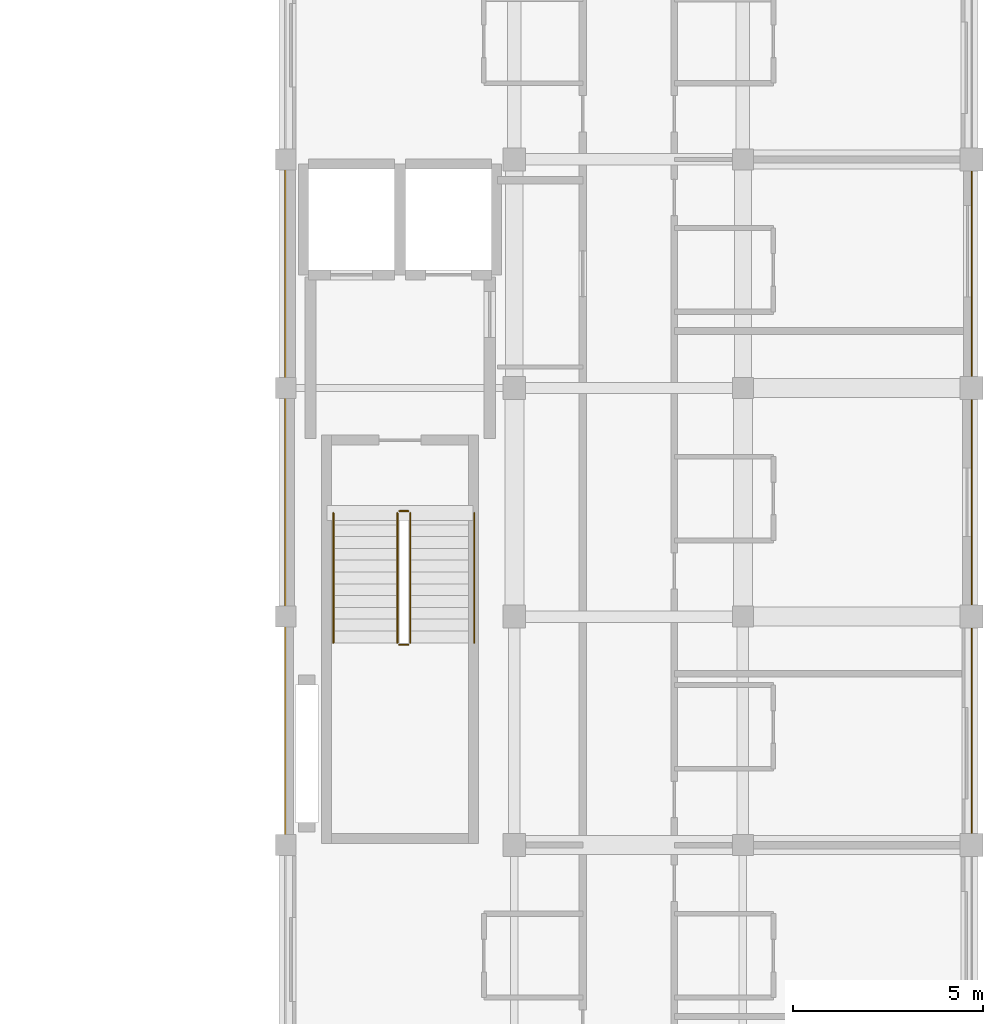
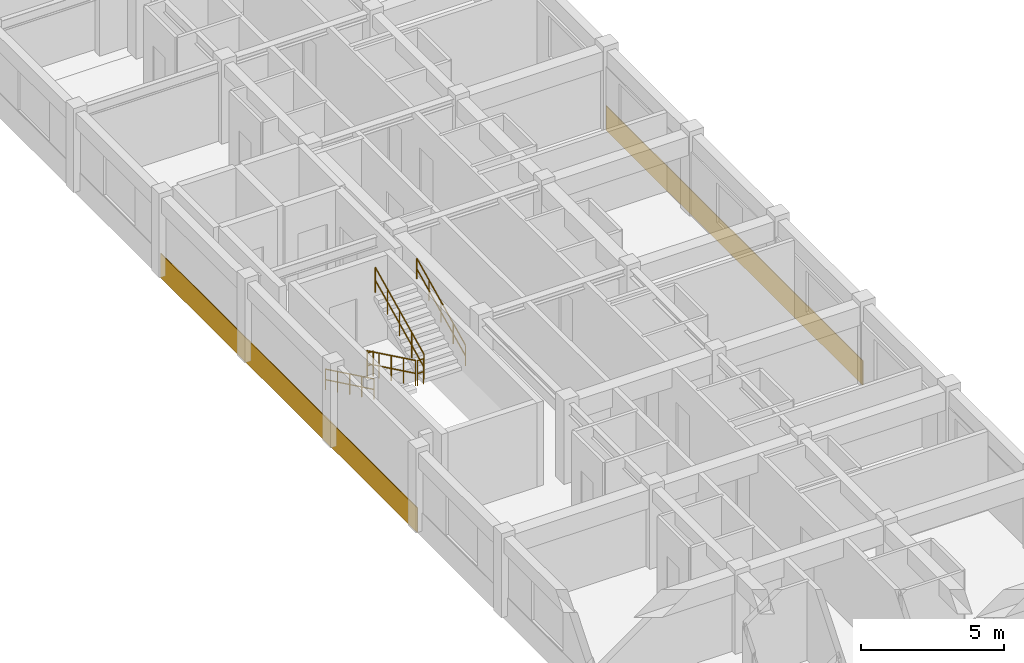
# One storey, part 23 of 25: 6 railings, 2 coverings.
"""IFC4 building model written with IfcOpenShell, lengths in metres."""

from ifc_helpers import new_model, si_unit, direction, frame, origin, origin_2d, place, context, subcontext, project, spatial, polyline, circle, outline, extrude, material, layer, layer_set, type_object, element, save


model = new_model("IFC4")

# Units and contexts
model_context = context("Model", 3, precision=1e-05, world=origin(), true_north=direction((0.0, 1.0)))
body_context = subcontext(model_context, "Body", "Model", "MODEL_VIEW")
ifc_project = project(units=[si_unit("LENGTHUNIT", "METRE"), si_unit("AREAUNIT", "SQUARE_METRE"), si_unit("VOLUMEUNIT", "CUBIC_METRE"), si_unit("PLANEANGLEUNIT", "RADIAN"), si_unit("MASSUNIT", "GRAM", prefix="KILO"), si_unit("THERMODYNAMICTEMPERATUREUNIT", "KELVIN"), si_unit("POWERUNIT", "WATT")], contexts=[model_context])

# Site, building, storey
site_placement = place(None, origin())
site = spatial("IfcSite", under=ifc_project, at=site_placement, CompositionType="ELEMENT")
building_placement = place(site_placement, origin())
building = spatial("IfcBuilding", under=site, at=building_placement, Name="Phaisarnlok Congress Hotel", CompositionType="ELEMENT")
storey_placement = place(building_placement, frame((0.0, 0.0, 24.60009765625)))
storey = spatial("IfcBuildingStorey", under=building, at=storey_placement, Name="L05", CompositionType="ELEMENT", Elevation=24.60009765625)

# Coverings
ifc_material_1 = material(Name="Anodised Silver Aluminium Alloy 6063-T6", Category="aluminium")
ifc_layer = layer(ifc_material_1, 0.031982421875, Name="Anodised Silver Aluminium Alloy 6063-T6")
ifc_layer_set = layer_set([ifc_layer], Name="Anodised Silver Aluminium Alloy 6063-T6")
covering_type = type_object("IfcCoveringType", Name="COV-SPAND-ALU", PredefinedType="CLADDING", material=ifc_layer_set)
for number, where, z_axis, x_axis, name in (
    (1, (179.9951171875, 78.06005859375, -0.280029296875), (1.0, 0.0, 0.0), (0.0, 1.0, 0.0), "Swiss minimalist anodised silver rainscreen band CL-02 (L05 E)"),
    (2, (162.0048828125, 96.06005859375, -0.280029296875), (-1.0, 0.0, 0.0), (0.0, -1.0, 0.0), "Swiss minimalist anodised silver rainscreen band CL-02 (L05 W)"),
):
    element("IfcCovering", number, at=place(storey_placement, frame(where, z_axis=z_axis, x_axis=x_axis)), inside=storey, type_object=covering_type, Name=name, PredefinedType="CLADDING", context=body_context, shape_type="SweptSolid", body=[
        extrude(outline(polyline([(0.0, 0.0), (18.0, 0.0), (18.0, 1.050048828125), (0.0, 1.050048828125), (0.0, 0.0)])), origin(), (0.0, 0.0, 1.0), 0.031982421875),
    ])

# Railings
ifc_material_2 = material(Name="Painted Galvanised Steel S275", Category="steel")
railing_type_1 = type_object("IfcRailingType", Name="RLG-STR-GUARD", PredefinedType="BALUSTRADE", material=ifc_material_2)
railing_1_placement = place(storey_placement, frame((164.929931640625, 86.719970703125, 0.14990234375)))
element("IfcRailing", 3, at=railing_1_placement, inside=storey, type_object=railing_type_1, Name="L05 ST-09 stair guard 1", PredefinedType="BALUSTRADE", context=body_context, shape_type="SweptSolid", body=[
    extrude(circle(Radius=0.02392578125, at=origin_2d()), frame((0.0, 0.0, 1.076171875), z_axis=(0.0, -0.900164957231, 0.435549135889), x_axis=(1.0, 0.0, 0.0)), (0.0, 0.0, 1.0), 3.7880859375),
    extrude(circle(Radius=0.02392578125, at=origin_2d()), frame((0.0, 0.0, 0.52587890625), z_axis=(0.0, -0.900164957231, 0.435549135889), x_axis=(1.0, 0.0, 0.0)), (0.0, 0.0, 1.0), 3.7880859375),
    extrude(circle(Radius=0.02099609375, at=origin_2d()), origin(), (0.0, 0.0, 1.0), 1.052001953125),
    extrude(circle(Radius=0.02099609375, at=origin_2d()), frame((0.0, -0.8525390625, 0.41259765625)), (0.0, 0.0, 1.0), 1.052001953125),
    extrude(circle(Radius=0.02099609375, at=origin_2d()), frame((0.0, -1.705078125, 0.824951171875)), (0.0, 0.0, 1.0), 1.052001953125),
    extrude(circle(Radius=0.02099609375, at=origin_2d()), frame((0.0, -2.557373046875, 1.2373046875)), (0.0, 0.0, 1.0), 1.052001953125),
    extrude(circle(Radius=0.02099609375, at=origin_2d()), frame((0.0, -3.409912109375, 1.64990234375)), (0.0, 0.0, 1.0), 1.052001953125),
])
railing_2_placement = place(storey_placement, frame((164.97998046875, 83.260009765625, 1.7998046875)))
element("IfcRailing", 4, at=railing_2_placement, inside=storey, type_object=railing_type_1, Name="L05 ST-09 stair guard 2", PredefinedType="BALUSTRADE", context=body_context, shape_type="SweptSolid", body=[
    extrude(circle(Radius=0.02392578125, at=origin_2d()), frame((0.0, 0.0, 1.076171875), z_axis=(1.0, 0.0, 0.0), x_axis=(0.0, 1.0, 0.0)), (0.0, 0.0, 1.0), 0.239990234375),
    extrude(circle(Radius=0.02392578125, at=origin_2d()), frame((0.0, 0.0, 0.52587890625), z_axis=(1.0, 0.0, 0.0), x_axis=(0.0, 1.0, 0.0)), (0.0, 0.0, 1.0), 0.239990234375),
    extrude(circle(Radius=0.02099609375, at=origin_2d()), origin(), (0.0, 0.0, 1.0), 1.052001953125),
    extrude(circle(Radius=0.02099609375, at=origin_2d()), frame((0.239990234375, 0.0, 0.0)), (0.0, 0.0, 1.0), 1.052001953125),
])
railing_3_placement = place(storey_placement, frame((165.27001953125, 83.31005859375, 1.949951171875)))
element("IfcRailing", 5, at=railing_3_placement, inside=storey, type_object=railing_type_1, Name="L05 ST-09 stair guard 3", PredefinedType="BALUSTRADE", context=body_context, shape_type="SweptSolid", body=[
    extrude(circle(Radius=0.02392578125, at=origin_2d()), frame((0.0, 0.0, 1.076171875), z_axis=(0.0, 0.900164957231, 0.435549135889), x_axis=(-1.0, 0.0, 0.0)), (0.0, 0.0, 1.0), 3.7880859375),
    extrude(circle(Radius=0.02392578125, at=origin_2d()), frame((0.0, 0.0, 0.52587890625), z_axis=(0.0, 0.900164957231, 0.435549135889), x_axis=(-1.0, 0.0, 0.0)), (0.0, 0.0, 1.0), 3.7880859375),
    extrude(circle(Radius=0.02099609375, at=origin_2d()), origin(), (0.0, 0.0, 1.0), 1.052001953125),
    extrude(circle(Radius=0.02099609375, at=origin_2d()), frame((0.0, 0.8525390625, 0.41259765625)), (0.0, 0.0, 1.0), 1.052001953125),
    extrude(circle(Radius=0.02099609375, at=origin_2d()), frame((0.0, 1.705078125, 0.824951171875)), (0.0, 0.0, 1.0), 1.052001953125),
    extrude(circle(Radius=0.02099609375, at=origin_2d()), frame((0.0, 2.557373046875, 1.2373046875)), (0.0, 0.0, 1.0), 1.052001953125),
    extrude(circle(Radius=0.02099609375, at=origin_2d()), frame((0.0, 3.409912109375, 1.64990234375)), (0.0, 0.0, 1.0), 1.052001953125),
])
railing_4_placement = place(storey_placement, frame((164.97998046875, 86.77001953125, 0.0)))
element("IfcRailing", 6, at=railing_4_placement, inside=storey, type_object=railing_type_1, Name="L05 ST-09 stair guard 4", PredefinedType="BALUSTRADE", context=body_context, shape_type="SweptSolid", body=[
    extrude(circle(Radius=0.02392578125, at=origin_2d()), frame((0.0, 0.0, 1.076171875), z_axis=(1.0, 0.0, 0.0), x_axis=(0.0, 1.0, 0.0)), (0.0, 0.0, 1.0), 0.239990234375),
    extrude(circle(Radius=0.02392578125, at=origin_2d()), frame((0.0, 0.0, 0.52587890625), z_axis=(1.0, 0.0, 0.0), x_axis=(0.0, 1.0, 0.0)), (0.0, 0.0, 1.0), 0.239990234375),
    extrude(circle(Radius=0.02099609375, at=origin_2d()), origin(), (0.0, 0.0, 1.0), 1.052001953125),
    extrude(circle(Radius=0.02099609375, at=origin_2d()), frame((0.239990234375, 0.0, 0.0)), (0.0, 0.0, 1.0), 1.052001953125),
])
ifc_material_3 = material(Name="Brushed Stainless Steel Grade 304", Category="steel")
railing_type_2 = type_object("IfcRailingType", Name="RLG-STR-HRAIL", PredefinedType="HANDRAIL", material=ifc_material_3)
railing_5_placement = place(storey_placement, frame((163.25, 86.719970703125, 0.14990234375)))
element("IfcRailing", 7, at=railing_5_placement, inside=storey, type_object=railing_type_2, Name="L05 ST-09 stair handrail 1", PredefinedType="HANDRAIL", context=body_context, shape_type="SweptSolid", body=[
    extrude(circle(Radius=0.02392578125, at=origin_2d()), frame((0.0, 0.0, 0.8759765625), z_axis=(0.0, -0.900164957231, 0.435549135889), x_axis=(1.0, 0.0, 0.0)), (0.0, 0.0, 1.0), 3.7880859375),
    extrude(circle(Radius=0.02392578125, at=origin_2d()), frame((0.0, 0.0, 0.42578125), z_axis=(0.0, -0.900164957231, 0.435549135889), x_axis=(1.0, 0.0, 0.0)), (0.0, 0.0, 1.0), 3.7880859375),
    extrude(circle(Radius=0.02099609375, at=origin_2d()), origin(), (0.0, 0.0, 1.0), 0.851806640625),
    extrude(circle(Radius=0.02099609375, at=origin_2d()), frame((0.0, -0.8525390625, 0.41259765625)), (0.0, 0.0, 1.0), 0.851806640625),
    extrude(circle(Radius=0.02099609375, at=origin_2d()), frame((0.0, -1.705078125, 0.824951171875)), (0.0, 0.0, 1.0), 0.851806640625),
    extrude(circle(Radius=0.02099609375, at=origin_2d()), frame((0.0, -2.557373046875, 1.2373046875)), (0.0, 0.0, 1.0), 0.851806640625),
    extrude(circle(Radius=0.02099609375, at=origin_2d()), frame((0.0, -3.409912109375, 1.64990234375)), (0.0, 0.0, 1.0), 0.851806640625),
])
railing_6_placement = place(storey_placement, frame((166.949951171875, 83.31005859375, 1.949951171875)))
element("IfcRailing", 8, at=railing_6_placement, inside=storey, type_object=railing_type_2, Name="L05 ST-09 stair handrail 2", PredefinedType="HANDRAIL", context=body_context, shape_type="SweptSolid", body=[
    extrude(circle(Radius=0.02392578125, at=origin_2d()), frame((0.0, 0.0, 0.8759765625), z_axis=(0.0, 0.900164957231, 0.435549135889), x_axis=(-1.0, 0.0, 0.0)), (0.0, 0.0, 1.0), 3.7880859375),
    extrude(circle(Radius=0.02392578125, at=origin_2d()), frame((0.0, 0.0, 0.42578125), z_axis=(0.0, 0.900164957231, 0.435549135889), x_axis=(-1.0, 0.0, 0.0)), (0.0, 0.0, 1.0), 3.7880859375),
    extrude(circle(Radius=0.02099609375, at=origin_2d()), origin(), (0.0, 0.0, 1.0), 0.851806640625),
    extrude(circle(Radius=0.02099609375, at=origin_2d()), frame((0.0, 0.8525390625, 0.41259765625)), (0.0, 0.0, 1.0), 0.851806640625),
    extrude(circle(Radius=0.02099609375, at=origin_2d()), frame((0.0, 1.705078125, 0.824951171875)), (0.0, 0.0, 1.0), 0.851806640625),
    extrude(circle(Radius=0.02099609375, at=origin_2d()), frame((0.0, 2.557373046875, 1.2373046875)), (0.0, 0.0, 1.0), 0.851806640625),
    extrude(circle(Radius=0.02099609375, at=origin_2d()), frame((0.0, 3.409912109375, 1.64990234375)), (0.0, 0.0, 1.0), 0.851806640625),
])

save(model, "model.ifc")
